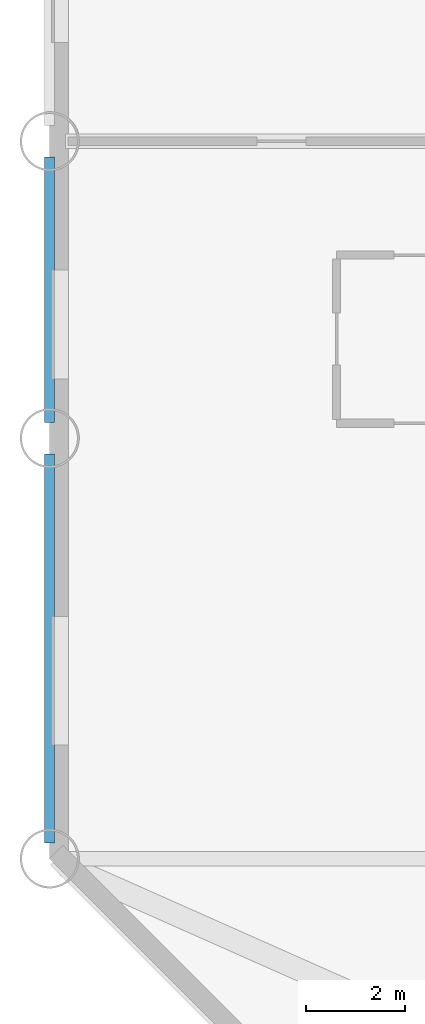
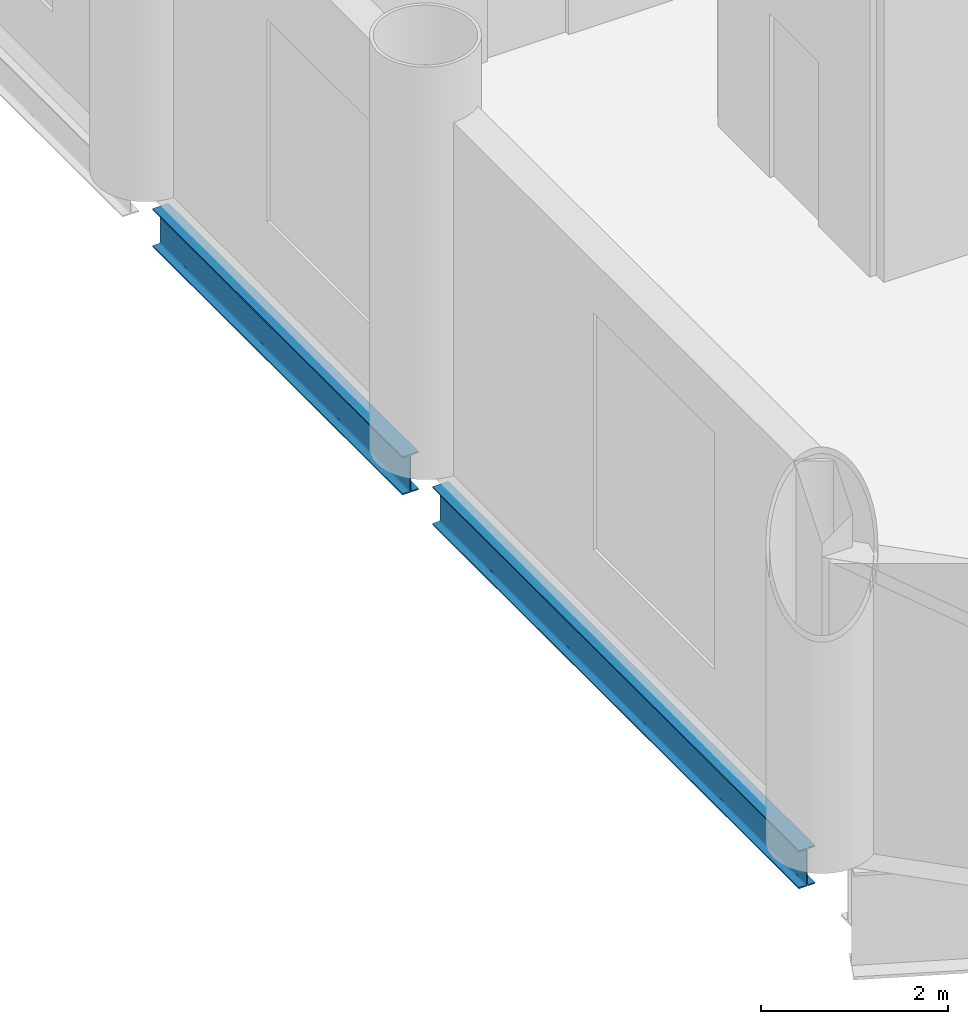
# One storey, part 3 of 18: 2 beams.
"""IFC4 building model written with IfcOpenShell, lengths in metres."""

import ifcopenshell
import ifcopenshell.guid

model = None  # the IFC model being written
_history = None  # IfcOwnerHistory: only IFC2X3 demands one
_inside = {}  # id of a spatial element -> (the spatial element, [elements in it])
_under = {}  # id of a project, library or spatial element -> (it, [spatial elements below it])
_declared = {}  # id of a project -> (the project, [libraries it declares])
_typed = {}  # id of a type object -> (the type object, [elements of that type])
_made_of = {}  # id of a material, layer set ... -> (it, [elements and type objects made of it])


def new_model(schema):
    """Start an empty IFC model of exactly this schema.

    Asked for "IFC4X3", IfcOpenShell would pick the latest addendum, in which some entities
    have other attributes; the version numbers below select the first issue.
    IFC2X3 requires an IfcOwnerHistory on every rooted entity: one is made here for all.
    """
    global model, _history
    if schema == "IFC4X3":
        model = ifcopenshell.file(schema_version=(4, 3, 0, 0))
    else:
        model = ifcopenshell.file(schema=schema)
    _inside.clear()
    _under.clear()
    _declared.clear()
    _typed.clear()
    _made_of.clear()
    _history = None
    if model.schema == "IFC2X3":
        org = make("IfcOrganization", Name="unknown")
        user = make(
            "IfcPersonAndOrganization",
            ThePerson=make("IfcPerson", FamilyName="unknown"),
            TheOrganization=org,
        )
        app = make(
            "IfcApplication",
            ApplicationDeveloper=org,
            Version="unknown",
            ApplicationFullName="unknown",
            ApplicationIdentifier="unknown",
        )
        _history = make(
            "IfcOwnerHistory",
            OwningUser=user,
            OwningApplication=app,
            ChangeAction="ADDED",
            CreationDate=0,
        )
    return model


def make(cls, **values):
    """One entity of the class cls with the attributes given. An attribute that is None is left unset."""
    return model.create_entity(
        cls, **{name: value for name, value in values.items() if value is not None}
    )


def rooted(cls, **values):
    """An entity with a GlobalId (a new one), such as an element, a storey or a relation."""
    return make(cls, GlobalId=ifcopenshell.guid.new(), OwnerHistory=_history, **values)


def si_unit(unit_type, name, prefix=None):
    """IfcSIUnit, for example si_unit("LENGTHUNIT", "METRE", prefix="MILLI")."""
    return make("IfcSIUnit", UnitType=unit_type, Prefix=prefix, Name=name)


def assignment(units):
    """IfcUnitAssignment: the units of a project."""
    return None if units is None else make("IfcUnitAssignment", Units=units)


def point(xyz):
    """IfcCartesianPoint."""
    return None if xyz is None else make("IfcCartesianPoint", Coordinates=xyz)


def direction(xyz):
    """IfcDirection."""
    return None if xyz is None else make("IfcDirection", DirectionRatios=xyz)


def frame(location, z_axis=None, x_axis=None):
    """IfcAxis2Placement3D, a coordinate frame: its origin and axes. An axis left out is left unset."""
    return make(
        "IfcAxis2Placement3D",
        Location=point(location),
        Axis=direction(z_axis),
        RefDirection=direction(x_axis),
    )


def frame_2d(location, x_axis=None):
    """IfcAxis2Placement2D, a coordinate frame in the plane: its origin and x axis."""
    return make(
        "IfcAxis2Placement2D", Location=point(location), RefDirection=direction(x_axis)
    )


def origin():
    """The frame at (0, 0, 0) with its axes left unset."""
    return frame((0.0, 0.0, 0.0))


def origin_2d():
    """The frame at (0, 0) in the plane with its x axis left unset."""
    return frame_2d((0.0, 0.0))


def place(relative_to, where):
    """IfcLocalPlacement: puts the frame where relative to a parent placement (None: the world)."""
    return make(
        "IfcLocalPlacement", PlacementRelTo=relative_to, RelativePlacement=where
    )


def context(
    kind, dimensions, precision=None, world=None, true_north=None, identifier=None
):
    """IfcGeometricRepresentationContext, for example the 3D "Model" context."""
    return make(
        "IfcGeometricRepresentationContext",
        ContextIdentifier=identifier,
        ContextType=kind,
        CoordinateSpaceDimension=dimensions,
        Precision=precision,
        WorldCoordinateSystem=world,
        TrueNorth=true_north,
    )


def subcontext(parent, identifier, kind, view, scale=None):
    """IfcGeometricRepresentationSubContext, for example "Body" below "Model"."""
    return make(
        "IfcGeometricRepresentationSubContext",
        ContextIdentifier=identifier,
        ContextType=kind,
        ParentContext=parent,
        TargetScale=scale,
        TargetView=view,
    )


def project(units=None, contexts=None):
    """IfcProject with its units and contexts."""
    return rooted(
        "IfcProject",
        Name="project",
        RepresentationContexts=contexts,
        UnitsInContext=assignment(units),
    )


def spatial(cls, under=None, at=None, **own):
    """A site, building, storey or space (cls), placed at a placement, below another one or the project."""
    s = rooted(cls, ObjectPlacement=at, **own)
    if under is not None:
        _under.setdefault(under.id(), (under, []))[1].append(s)
    return s


def profile(cls, at=None, kind="AREA", **sizes):
    """A parametric profile (cls). Its sizes go by their IFC names, for example OverallWidth=200.0."""
    return make(cls, ProfileType=kind, Position=at, **sizes)


def i_section(**sizes):
    """IfcIShapeProfileDef."""
    return profile("IfcIShapeProfileDef", **sizes)


def extrude(swept, where, along, depth):
    """IfcExtrudedAreaSolid: the profile swept, set in the frame where, extruded along a direction by depth."""
    return make(
        "IfcExtrudedAreaSolid",
        SweptArea=swept,
        Position=where,
        ExtrudedDirection=direction(along),
        Depth=depth,
    )


def shape(context_of_items, identifier, shape_type, items):
    """IfcShapeRepresentation: the items that make up one representation, for example the "Body"."""
    return make(
        "IfcShapeRepresentation",
        ContextOfItems=context_of_items,
        RepresentationIdentifier=identifier,
        RepresentationType=shape_type,
        Items=items,
    )


def material(Name=None, Category=None):
    """IfcMaterial."""
    return make("IfcMaterial", Name=Name, Category=Category)


def material_profile(
    of_material, cross_section, Name=None, Category=None, Priority=None
):
    """IfcMaterialProfile: a cross section and its material."""
    return make(
        "IfcMaterialProfile",
        Name=Name,
        Material=of_material,
        Profile=cross_section,
        Priority=Priority,
        Category=Category,
    )


def profile_set(profiles, Name=None, composite=None):
    """IfcMaterialProfileSet."""
    return make(
        "IfcMaterialProfileSet",
        Name=Name,
        MaterialProfiles=profiles,
        CompositeProfile=composite,
    )


def made_of(thing, what):
    """Note that an element or type object is made of a material, layer set ...; save() writes the relation."""
    if what is not None:
        _made_of.setdefault(what.id(), (what, []))[1].append(thing)
    return thing


def type_object(cls, material=None, **own):
    """A type object (cls), such as IfcWallType, which elements share."""
    return made_of(rooted(cls, **own), material)


def element(
    cls,
    number,
    at=None,
    inside=None,
    cuts=None,
    type_object=None,
    material=None,
    context=None,
    identifier="Body",
    shape_type=None,
    held_by="IfcProductDefinitionShape",
    body=None,
    shapes=None,
    **own,
):
    """One element of the class cls, such as IfcWall. Its Tag is "e" and its number.

    at: its placement. inside: the storey or other place that contains it. cuts: it is an
    opening in that element (IfcRelVoidsElement). A single representation is given by context,
    identifier, shape_type and body (its items); several are given by shapes. held_by: the class
    of the entity that holds the representations. save() writes the other relations.
    """
    e = rooted(cls, Tag="e%d" % number, ObjectPlacement=at, **own)
    if body is not None:
        shapes = [shape(context, identifier, shape_type, body)]
    if shapes is not None:
        e.Representation = make(held_by, Representations=shapes)
    if inside is not None:
        _inside.setdefault(inside.id(), (inside, []))[1].append(e)
    if cuts is not None:
        rooted(
            "IfcRelVoidsElement", RelatingBuildingElement=cuts, RelatedOpeningElement=e
        )
    if type_object is not None:
        _typed.setdefault(type_object.id(), (type_object, []))[1].append(e)
    return made_of(e, material)


def aggregate(whole, parts):
    """IfcRelAggregates: a whole, such as a stair, and the parts it consists of."""
    return rooted("IfcRelAggregates", RelatingObject=whole, RelatedObjects=parts)


def save(model, path):
    """Write the relations noted so far, then the file.

    IfcRelAggregates (storeys below a building ...), IfcRelContainedInSpatialStructure (elements
    in a storey), IfcRelDefinesByType, IfcRelAssociatesMaterial and IfcRelDeclares: one each for
    every whole, place, type object, material and project.
    """
    for whole, parts in _under.values():
        aggregate(whole, parts)
    for where, things in _inside.values():
        rooted(
            "IfcRelContainedInSpatialStructure",
            RelatedElements=things,
            RelatingStructure=where,
        )
    for kind, things in _typed.values():
        rooted("IfcRelDefinesByType", RelatedObjects=things, RelatingType=kind)
    for what, things in _made_of.values():
        rooted("IfcRelAssociatesMaterial", RelatedObjects=things, RelatingMaterial=what)
    for by, libraries in _declared.values():
        rooted("IfcRelDeclares", RelatingContext=by, RelatedDefinitions=libraries)
    model.write(path)


model = new_model("IFC4")

# Units and contexts
model_context = context("Model", 3, precision=1e-05, world=origin(), true_north=direction((0.0, 1.0)))
body_context = subcontext(model_context, "Body", "Model", "MODEL_VIEW")
ifc_project = project(units=[si_unit("LENGTHUNIT", "METRE"), si_unit("AREAUNIT", "SQUARE_METRE"), si_unit("VOLUMEUNIT", "CUBIC_METRE"), si_unit("PLANEANGLEUNIT", "RADIAN"), si_unit("MASSUNIT", "GRAM", prefix="KILO")], contexts=[model_context])

# Site, building, storey
site_placement = place(None, origin())
site = spatial("IfcSite", under=ifc_project, at=site_placement, CompositionType="ELEMENT")
building_placement = place(site_placement, origin())
building = spatial("IfcBuilding", under=site, at=building_placement, Name="Qianrong Seaharbour Tower", CompositionType="ELEMENT")
storey_placement = place(building_placement, frame((0.0, 0.0, 6.0)))
storey = spatial("IfcBuildingStorey", under=building, at=storey_placement, Name="L02", CompositionType="ELEMENT", Elevation=6.0)

# Beams
ifc_material = material(Name="Structural steel SN490B", Category="steel")
ifc_material_profile = material_profile(ifc_material, i_section(OverallWidth=0.199951171875, OverallDepth=0.5, WebThickness=0.010009765625, FlangeThickness=0.01611328125, FilletRadius=0.02001953125, at=origin_2d()), Name="H500x200x10x16")
ifc_profile_set = profile_set([ifc_material_profile], Name="Structural steel SN490B")
beam_type = type_object("IfcBeamType", Name="BM-SP-500", PredefinedType="SPANDREL", material=ifc_profile_set)
beam_1_placement = place(storey_placement, frame((0.0, 4.320068359375, -0.530029296875), z_axis=(0.0, 1.0, 0.0), x_axis=(-1.0, 0.0, 0.0)))
element("IfcBeam", 1, at=beam_1_placement, inside=storey, type_object=beam_type, Name="L02 Spandrel Girder G1 GB-GC", PredefinedType="SPANDREL", context=body_context, shape_type="SweptSolid", body=[
    extrude(i_section(OverallWidth=0.199951171875, OverallDepth=0.5, WebThickness=0.010009765625, FlangeThickness=0.01611328125, FilletRadius=0.02001953125, at=origin_2d()), origin(), (0.0, 0.0, 1.0), 7.85986328125),
])
beam_2_placement = place(storey_placement, frame((0.0, 12.820068359375, -0.530029296875), z_axis=(0.0, 1.0, 0.0), x_axis=(-1.0, 0.0, 0.0)))
element("IfcBeam", 2, at=beam_2_placement, inside=storey, type_object=beam_type, Name="L02 Spandrel Girder G1 GC-GD", PredefinedType="SPANDREL", context=body_context, shape_type="SweptSolid", body=[
    extrude(i_section(OverallWidth=0.199951171875, OverallDepth=0.5, WebThickness=0.010009765625, FlangeThickness=0.01611328125, FilletRadius=0.02001953125, at=origin_2d()), origin(), (0.0, 0.0, 1.0), 5.35986328125),
])

save(model, "model.ifc")
